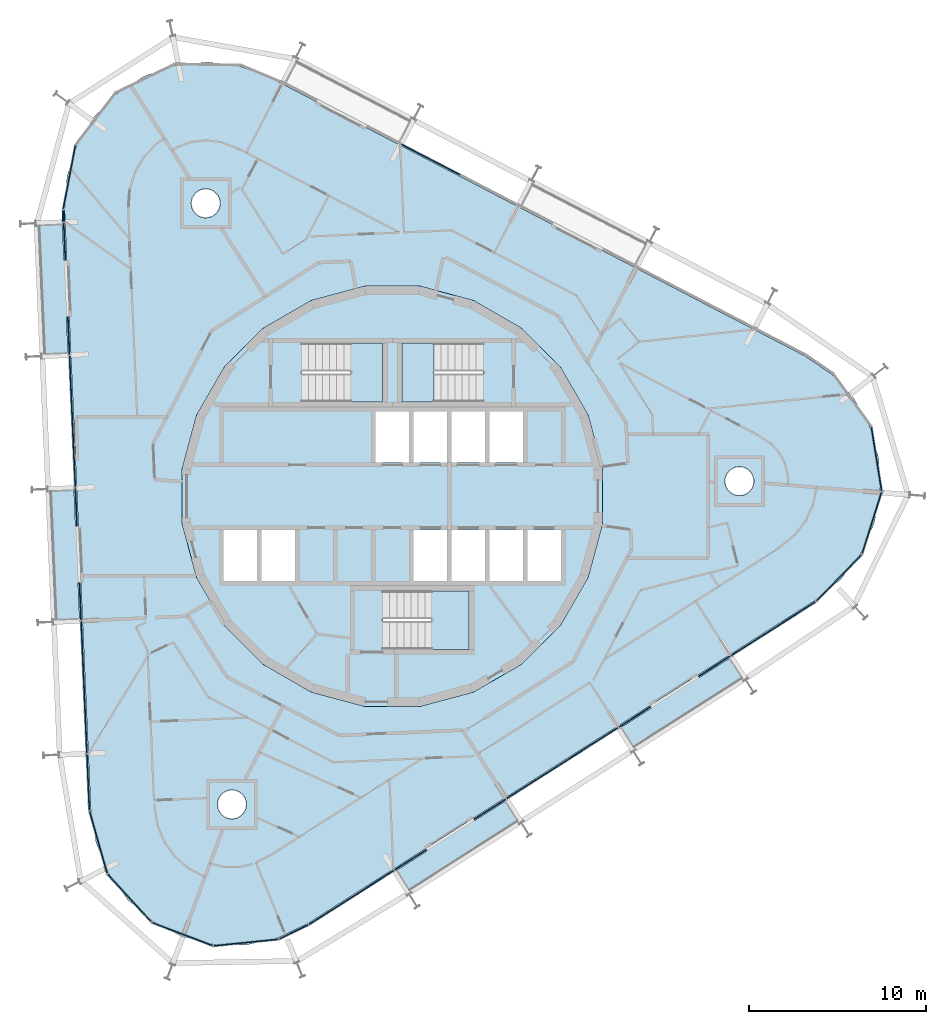
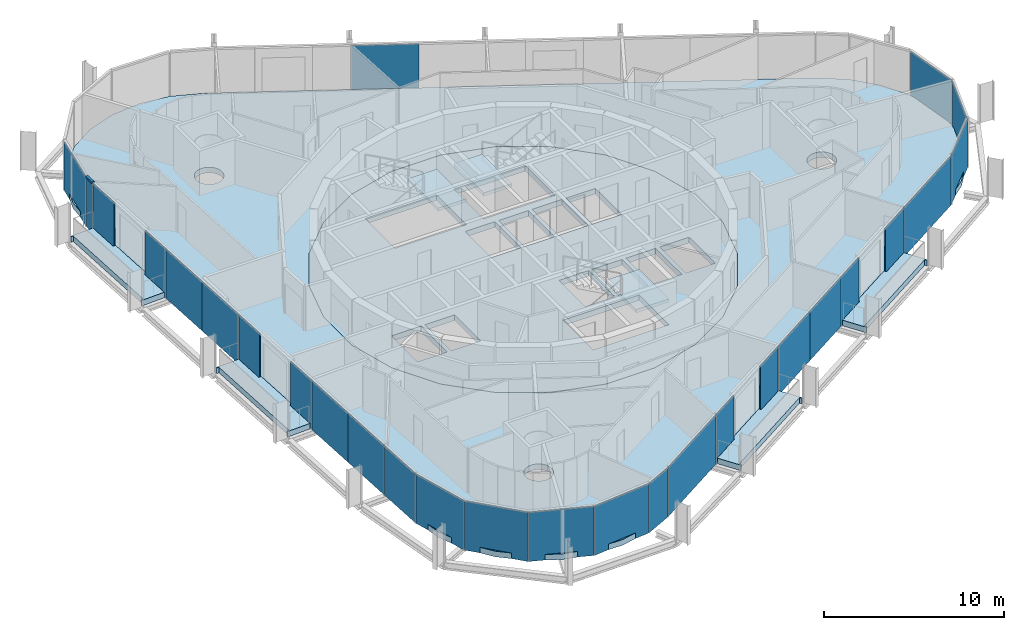
# One storey, part 10 of 18: 28 plates, 9 slabs, 1 member, 9 elements without a shape of their own.
"""IFC4 building model written with IfcOpenShell, lengths in metres."""

from ifc_helpers import new_model, si_unit, direction, frame, origin, origin_2d, place, context, subcontext, project, spatial, polyline, rectangle, outline, extrude, material, layer, layer_set, material_profile, profile_set, type_object, element, aggregate, save


model = new_model("IFC4")

# Units and contexts
model_context = context("Model", 3, precision=1e-05, world=origin(), true_north=direction((0.0, 1.0)))
body_context = subcontext(model_context, "Body", "Model", "MODEL_VIEW")
ifc_project = project(units=[si_unit("LENGTHUNIT", "METRE"), si_unit("AREAUNIT", "SQUARE_METRE"), si_unit("VOLUMEUNIT", "CUBIC_METRE"), si_unit("PLANEANGLEUNIT", "RADIAN"), si_unit("MASSUNIT", "GRAM", prefix="KILO")], contexts=[model_context])

# Site, building, storey
site_placement = place(None, origin())
site = spatial("IfcSite", under=ifc_project, at=site_placement, CompositionType="ELEMENT")
building_placement = place(site_placement, origin())
building = spatial("IfcBuilding", under=site, at=building_placement, Name="Spindle Arch Residences", CompositionType="ELEMENT")
storey_placement = place(building_placement, frame((0.0, 0.0, 254.699951171875)))
storey = spatial("IfcBuildingStorey", under=building, at=storey_placement, Name="L65", CompositionType="ELEMENT", Elevation=254.699951171875)

# Curtain wall, member
ifc_material_1 = material(Name="Aluminium bronze unitised frame with tinted glass", Category="aluminium")
ifc_layer_1 = layer(ifc_material_1, 0.159912109375)
ifc_layer_set_1 = layer_set([ifc_layer_1], Name="CW-D corner wall on the fillet arcs")
curtain_wall_type_1 = type_object("IfcCurtainWallType", Name="CW-D corner wall on the fillet arcs", PredefinedType="NOTDEFINED", material=ifc_layer_set_1)
curtain_wall_1_placement = place(storey_placement, origin())
curtain_wall_1 = element("IfcCurtainWall", 1, at=curtain_wall_1_placement, inside=storey, type_object=curtain_wall_type_1, Name="CW-D L65 run 3", PredefinedType="NOTDEFINED")
ifc_material_2 = material(Name="Aluminium bronze anodised transom", Category="aluminium")
ifc_material_profile = material_profile(ifc_material_2, rectangle(XDim=0.159912109375, YDim=0.1201171875, at=origin_2d()), Name="TR 120x160")
ifc_profile_set = profile_set([ifc_material_profile], Name="Aluminium bronze anodised transom")
member_type = type_object("IfcMemberType", Name="Bronze transom 120x160", PredefinedType="USERDEFINED", material=ifc_profile_set)
member_placement = place(storey_placement, frame((-18.638916015625, 16.2060546875, 2.989990234375), z_axis=(0.043372874815, -0.999058954081, 0.0), x_axis=(0.999058954081, 0.043372874815, 0.0)))
member = element("IfcMember", 2, at=member_placement, type_object=member_type, Name="CW-D transom 05", ObjectType="TRANSOM", PredefinedType="USERDEFINED", context=body_context, shape_type="SweptSolid", body=[
    extrude(rectangle(XDim=0.159912109375, YDim=0.1201171875, at=origin_2d()), origin(), (0.0, 0.0, 1.0), 0.65869140625),
])

# Slabs
ifc_material_3 = material(Name="Concrete C40/50", Category="concrete")
ifc_layer_2 = layer(ifc_material_3, 0.3798828125)
ifc_layer_set_2 = layer_set([ifc_layer_2], Name="Balcony slab 380")
slab_type_1 = type_object("IfcSlabType", Name="Balcony slab 380", PredefinedType="FLOOR", material=ifc_layer_set_2)
slab_1_placement = place(storey_placement, frame((0.0, 0.0, -0.3798828125)))
element("IfcSlab", 3, at=slab_1_placement, inside=storey, type_object=slab_type_1, Name="Balcony L65 bay 1", PredefinedType="FLOOR", context=body_context, shape_type="SweptSolid", body=[
    extrude(outline(polyline([(13.70751953125, -14.36962890625), (13.770751953125, -14.329345703125), (13.690185546875, -14.202880859375), (19.7880859375, -10.318115234375), (19.86865234375, -10.444580078125), (19.931884765625, -10.404296875), (19.13134765625, -9.147705078125), (17.36865234375, -10.270751953125), (17.28271484375, -10.1357421875), (14.583740234375, -11.855224609375), (14.669677734375, -11.989990234375), (12.906982421875, -13.113037109375), (13.70751953125, -14.36962890625)])), origin(), (0.0, 0.0, 1.0), 0.3798828125),
])
slab_2_placement = place(storey_placement, frame((0.0, 0.0, -0.3798828125)))
element("IfcSlab", 4, at=slab_2_placement, inside=storey, type_object=slab_type_1, Name="Balcony L65 bay 13", PredefinedType="FLOOR", context=body_context, shape_type="SweptSolid", body=[
    extrude(outline(polyline([(-20.174072265625, 15.374755859375), (-20.1708984375, 15.2998046875), (-20.02099609375, 15.306396484375), (-19.705810546875, 8.083251953125), (-19.85546875, 8.07666015625), (-19.852294921875, 8.001708984375), (-18.36376953125, 8.066650390625), (-18.454833984375, 10.15478515625), (-18.294921875, 10.161865234375), (-18.4345703125, 13.358642578125), (-18.594482421875, 13.351806640625), (-18.685546875, 15.439697265625), (-20.174072265625, 15.374755859375)])), origin(), (0.0, 0.0, 1.0), 0.3798828125),
])
slab_3_placement = place(storey_placement, frame((0.0, 0.0, -0.3798828125)))
element("IfcSlab", 5, at=slab_3_placement, inside=storey, type_object=slab_type_1, Name="Balcony L65 bay 15", PredefinedType="FLOOR", context=body_context, shape_type="SweptSolid", body=[
    extrude(outline(polyline([(-19.517333984375, 0.3291015625), (-19.513916015625, 0.254150390625), (-19.3642578125, 0.260498046875), (-19.048828125, -6.962646484375), (-19.19873046875, -6.96923828125), (-19.1953125, -7.0439453125), (-17.706787109375, -6.97900390625), (-17.7978515625, -4.89111328125), (-17.63818359375, -4.884033203125), (-17.777587890625, -1.68701171875), (-17.9375, -1.694091796875), (-18.02880859375, 0.39404296875), (-19.517333984375, 0.3291015625)])), origin(), (0.0, 0.0, 1.0), 0.3798828125),
])
slab_4_placement = place(storey_placement, frame((0.0, 0.0, -0.3798828125)))
element("IfcSlab", 6, at=slab_4_placement, inside=storey, type_object=slab_type_1, Name="Balcony L65 bay 21", PredefinedType="FLOOR", context=body_context, shape_type="SweptSolid", body=[
    extrude(outline(polyline([(1.006103515625, -22.46142578125), (1.0693359375, -22.421142578125), (0.988525390625, -22.294677734375), (7.08642578125, -18.409912109375), (7.1669921875, -18.536376953125), (7.230224609375, -18.49609375), (6.4296875, -17.239501953125), (4.6669921875, -18.362548828125), (4.5810546875, -18.2275390625), (1.882080078125, -19.947021484375), (1.968017578125, -20.081787109375), (0.205322265625, -21.204833984375), (1.006103515625, -22.46142578125)])), origin(), (0.0, 0.0, 1.0), 0.3798828125),
])
ifc_material_4 = material(Name="Concrete C50/60", Category="concrete")
ifc_layer_3 = layer(ifc_material_4, 0.3798828125)
ifc_layer_set_3 = layer_set([ifc_layer_3], Name="Core floor slab 380")
slab_type_2 = type_object("IfcSlabType", Name="Core floor slab 380", PredefinedType="FLOOR", material=ifc_layer_set_3)
slab_5_placement = place(storey_placement, frame((0.0, 0.0, -0.3798828125)))
element("IfcSlab", 7, at=slab_5_placement, inside=storey, type_object=slab_type_2, Name="Core floor L65", PredefinedType="FLOOR", context=body_context, shape_type="SweptSolid", body=[
    extrude(outline(polyline([(1.56640625, -11.897216796875), (4.59228515625, -11.086669921875), (7.30517578125, -9.520263671875), (9.520263671875, -7.30517578125), (11.086669921875, -4.59228515625), (11.897216796875, -1.56640625), (11.897216796875, 1.56640625), (11.086669921875, 4.59228515625), (9.520263671875, 7.30517578125), (7.30517578125, 9.520263671875), (4.59228515625, 11.086669921875), (1.56640625, 11.897216796875), (-1.56640625, 11.897216796875), (-4.59228515625, 11.086669921875), (-7.30517578125, 9.520263671875), (-9.520263671875, 7.30517578125), (-11.086669921875, 4.59228515625), (-11.897216796875, 1.56640625), (-11.897216796875, -1.56640625), (-11.086669921875, -4.59228515625), (-9.520263671875, -7.30517578125), (-7.30517578125, -9.520263671875), (-4.59228515625, -11.086669921875), (-1.56640625, -11.897216796875), (1.56640625, -11.897216796875)]), holes=[polyline([(-0.949951171875, 1.89990234375), (0.949951171875, 1.89990234375), (0.949951171875, 4.800048828125), (-0.949951171875, 4.800048828125), (-0.949951171875, 1.89990234375)]), polyline([(1.199951171875, 1.89990234375), (3.10009765625, 1.89990234375), (3.10009765625, 4.800048828125), (1.199951171875, 4.800048828125), (1.199951171875, 1.89990234375)]), polyline([(3.35009765625, 1.89990234375), (5.25, 1.89990234375), (5.25, 4.800048828125), (3.35009765625, 4.800048828125), (3.35009765625, 1.89990234375)]), polyline([(5.5, 1.89990234375), (7.39990234375, 1.89990234375), (7.39990234375, 4.800048828125), (5.5, 4.800048828125), (5.5, 1.89990234375)]), polyline([(-9.550048828125, -4.800048828125), (-7.64990234375, -4.800048828125), (-7.64990234375, -1.89990234375), (-9.550048828125, -1.89990234375), (-9.550048828125, -4.800048828125)]), polyline([(-7.39990234375, -4.800048828125), (-5.5, -4.800048828125), (-5.5, -1.89990234375), (-7.39990234375, -1.89990234375), (-7.39990234375, -4.800048828125)]), polyline([(1.199951171875, -4.800048828125), (3.10009765625, -4.800048828125), (3.10009765625, -1.89990234375), (1.199951171875, -1.89990234375), (1.199951171875, -4.800048828125)]), polyline([(3.35009765625, -4.800048828125), (5.25, -4.800048828125), (5.25, -1.89990234375), (3.35009765625, -1.89990234375), (3.35009765625, -4.800048828125)]), polyline([(5.5, -4.800048828125), (7.39990234375, -4.800048828125), (7.39990234375, -1.89990234375), (5.5, -1.89990234375), (5.5, -4.800048828125)]), polyline([(7.64990234375, -4.800048828125), (9.550048828125, -4.800048828125), (9.550048828125, -1.89990234375), (7.64990234375, -1.89990234375), (7.64990234375, -4.800048828125)]), polyline([(5.1298828125, 8.669921875), (0.550048828125, 8.669921875), (0.550048828125, 5.35009765625), (5.1298828125, 5.35009765625), (5.1298828125, 8.669921875)]), polyline([(-5.1298828125, 5.35009765625), (-0.550048828125, 5.35009765625), (-0.550048828125, 8.669921875), (-5.1298828125, 8.669921875), (-5.1298828125, 5.35009765625)]), polyline([(-0.530029296875, -8.669921875), (4.35009765625, -8.669921875), (4.35009765625, -5.35009765625), (-0.530029296875, -5.35009765625), (-0.530029296875, -8.669921875)])]), origin(), (0.0, 0.0, 1.0), 0.3798828125),
])

# Stair, slab
ifc_material_5 = material(Name="Concrete C50/60", Category="concrete")
stair_type = type_object("IfcStairType", Name="Exit stair 16 risers", PredefinedType="HALF_TURN_STAIR", material=ifc_material_5)
stair_1_placement = place(storey_placement, origin())
stair_1 = element("IfcStair", 8, at=stair_1_placement, inside=storey, type_object=stair_type, Name="L65 Exit stair ST1", PredefinedType="HALF_TURN_STAIR")
ifc_material_6 = material(Name="Concrete C50/60", Category="concrete")
ifc_layer_4 = layer(ifc_material_6, 0.219970703125)
ifc_layer_set_4 = layer_set([ifc_layer_4], Name="Exit stair landing 220")
slab_type_3 = type_object("IfcSlabType", Name="Exit stair landing 220", PredefinedType="LANDING", material=ifc_layer_set_4)
slab_6_placement = place(storey_placement, frame((0.0, 0.0, 1.530029296875)))
slab_6 = element("IfcSlab", 9, at=slab_6_placement, type_object=slab_type_3, Name="ST1 landing 1", PredefinedType="LANDING", context=body_context, shape_type="SweptSolid", body=[
    extrude(outline(polyline([(2.3701171875, 8.669921875), (0.550048828125, 8.669921875), (0.550048828125, 5.35009765625), (2.3701171875, 5.35009765625), (2.3701171875, 8.669921875)])), origin(), (0.0, 0.0, 1.0), 0.219970703125),
])
aggregate(stair_1, [slab_6])

stair_2_placement = place(storey_placement, origin())
stair_2 = element("IfcStair", 10, at=stair_2_placement, inside=storey, type_object=stair_type, Name="L65 Exit stair ST2", PredefinedType="HALF_TURN_STAIR")
slab_7_placement = place(storey_placement, frame((0.0, 0.0, 1.530029296875)))
slab_7 = element("IfcSlab", 11, at=slab_7_placement, type_object=slab_type_3, Name="ST2 landing 1", PredefinedType="LANDING", context=body_context, shape_type="SweptSolid", body=[
    extrude(outline(polyline([(-2.3701171875, 5.35009765625), (-0.550048828125, 5.35009765625), (-0.550048828125, 8.669921875), (-2.3701171875, 8.669921875), (-2.3701171875, 5.35009765625)])), origin(), (0.0, 0.0, 1.0), 0.219970703125),
])
aggregate(stair_2, [slab_7])

stair_3_placement = place(storey_placement, origin())
stair_3 = element("IfcStair", 12, at=stair_3_placement, inside=storey, type_object=stair_type, Name="L65 Exit stair ST3", PredefinedType="HALF_TURN_STAIR")
slab_8_placement = place(storey_placement, frame((0.0, 0.0, 1.530029296875)))
slab_8 = element("IfcSlab", 13, at=slab_8_placement, type_object=slab_type_3, Name="ST3 landing 1", PredefinedType="LANDING", context=body_context, shape_type="SweptSolid", body=[
    extrude(outline(polyline([(2.22998046875, -8.669921875), (4.35009765625, -8.669921875), (4.35009765625, -5.35009765625), (2.22998046875, -5.35009765625), (2.22998046875, -8.669921875)])), origin(), (0.0, 0.0, 1.0), 0.219970703125),
])
aggregate(stair_3, [slab_8])

# Slab
ifc_material_7 = material(Name="Concrete C40/50", Category="concrete")
ifc_layer_5 = layer(ifc_material_7, 0.3798828125)
ifc_layer_set_5 = layer_set([ifc_layer_5], Name="Floor slab 380")
slab_type_4 = type_object("IfcSlabType", Name="Floor slab 380", PredefinedType="FLOOR", material=ifc_layer_set_5)
slab_9_placement = place(storey_placement, frame((0.0, 0.0, -0.3798828125)))
element("IfcSlab", 14, at=slab_9_placement, inside=storey, type_object=slab_type_4, Name="Floor slab L65", PredefinedType="FLOOR", context=body_context, shape_type="SweptSolid", body=[
    extrude(outline(polyline([(-6.45556640625, -25.0029296875), (-8.268798828125, -25.40478515625), (-10.126220703125, -25.3779296875), (-11.92724609375, -24.92333984375), (-13.57470703125, -24.065673828125), (-14.980224609375, -22.85107421875), (-16.067626953125, -21.34521484375), (-16.778564453125, -19.629150390625), (-17.074462890625, -17.79541015625), (-18.560302734375, 16.239501953125), (-18.42529296875, 18.092041015625), (-17.866943359375, 19.863525390625), (-16.914794921875, 21.45849609375), (-15.62060546875, 22.791015625), (-14.053955078125, 23.788818359375), (-12.299560546875, 24.398681640625), (-10.45166015625, 24.587646484375), (-8.610107421875, 24.34521484375), (-6.8740234375, 23.6845703125), (23.343994140625, 7.9541015625), (24.880859375, 6.910888671875), (26.1357421875, 5.54150390625), (27.041015625, 3.91943359375), (27.5478515625, 2.13232421875), (27.62890625, 0.276611328125), (27.27978515625, -1.547607421875), (26.519287109375, -3.242431640625), (25.388427734375, -4.716064453125), (23.948486328125, -5.88916015625), (9.58251953125, -15.041259765625), (-4.78369140625, -24.193603515625), (-6.45556640625, -25.0029296875)]), holes=[polyline([(7.30517578125, -9.520263671875), (9.520263671875, -7.30517578125), (11.086669921875, -4.59228515625), (11.897216796875, -1.56640625), (11.897216796875, 1.56640625), (11.086669921875, 4.59228515625), (9.520263671875, 7.30517578125), (7.30517578125, 9.520263671875), (4.59228515625, 11.086669921875), (1.56640625, 11.897216796875), (-1.56640625, 11.897216796875), (-4.59228515625, 11.086669921875), (-7.30517578125, 9.520263671875), (-9.520263671875, 7.30517578125), (-11.086669921875, 4.59228515625), (-11.897216796875, 1.56640625), (-11.897216796875, -1.56640625), (-11.086669921875, -4.59228515625), (-9.520263671875, -7.30517578125), (-7.30517578125, -9.520263671875), (-4.59228515625, -11.086669921875), (-1.56640625, -11.897216796875), (1.56640625, -11.897216796875), (4.59228515625, -11.086669921875), (7.30517578125, -9.520263671875)]), polyline([(-8.39599609375, -17.904541015625), (-8.31982421875, -17.761962890625), (-8.27294921875, -17.607177734375), (-8.257080078125, -17.4462890625), (-8.27294921875, -17.285400390625), (-8.31982421875, -17.130615234375), (-8.39599609375, -16.988037109375), (-8.49853515625, -16.86279296875), (-8.623779296875, -16.76025390625), (-8.766357421875, -16.68408203125), (-8.921142578125, -16.63720703125), (-9.08203125, -16.621337890625), (-9.242919921875, -16.63720703125), (-9.397705078125, -16.68408203125), (-9.540283203125, -16.76025390625), (-9.665283203125, -16.86279296875), (-9.76806640625, -16.988037109375), (-9.84423828125, -17.130615234375), (-9.89111328125, -17.285400390625), (-9.906982421875, -17.4462890625), (-9.89111328125, -17.607177734375), (-9.84423828125, -17.761962890625), (-9.76806640625, -17.904541015625), (-9.665283203125, -18.02978515625), (-9.540283203125, -18.13232421875), (-9.397705078125, -18.20849609375), (-9.242919921875, -18.25537109375), (-9.08203125, -18.271240234375), (-8.921142578125, -18.25537109375), (-8.766357421875, -18.20849609375), (-8.623779296875, -18.13232421875), (-8.49853515625, -18.02978515625), (-8.39599609375, -17.904541015625)]), polyline([(-9.882080078125, 16.130126953125), (-9.805908203125, 16.272705078125), (-9.7587890625, 16.427490234375), (-9.742919921875, 16.58837890625), (-9.7587890625, 16.749267578125), (-9.805908203125, 16.904052734375), (-9.882080078125, 17.046630859375), (-9.984619140625, 17.171875), (-10.109619140625, 17.2744140625), (-10.252197265625, 17.3505859375), (-10.406982421875, 17.3974609375), (-10.568115234375, 17.413330078125), (-10.72900390625, 17.3974609375), (-10.8837890625, 17.3505859375), (-11.0263671875, 17.2744140625), (-11.1513671875, 17.171875), (-11.25390625, 17.046630859375), (-11.330078125, 16.904052734375), (-11.377197265625, 16.749267578125), (-11.39306640625, 16.58837890625), (-11.377197265625, 16.427490234375), (-11.330078125, 16.272705078125), (-11.25390625, 16.130126953125), (-11.1513671875, 16.0048828125), (-11.0263671875, 15.90234375), (-10.8837890625, 15.826171875), (-10.72900390625, 15.779296875), (-10.568115234375, 15.763427734375), (-10.406982421875, 15.779296875), (-10.252197265625, 15.826171875), (-10.109619140625, 15.90234375), (-9.984619140625, 16.0048828125), (-9.882080078125, 16.130126953125)]), polyline([(20.2333984375, 0.2744140625), (20.3359375, 0.399658203125), (20.412109375, 0.542236328125), (20.458984375, 0.697021484375), (20.47509765625, 0.85791015625), (20.458984375, 1.018798828125), (20.412109375, 1.173583984375), (20.3359375, 1.316162109375), (20.2333984375, 1.44140625), (20.1083984375, 1.5439453125), (19.9658203125, 1.6201171875), (19.810791015625, 1.6669921875), (19.64990234375, 1.682861328125), (19.489013671875, 1.6669921875), (19.334228515625, 1.6201171875), (19.191650390625, 1.5439453125), (19.066650390625, 1.44140625), (18.964111328125, 1.316162109375), (18.8876953125, 1.173583984375), (18.8408203125, 1.018798828125), (18.824951171875, 0.85791015625), (18.8408203125, 0.697021484375), (18.8876953125, 0.542236328125), (18.964111328125, 0.399658203125), (19.066650390625, 0.2744140625), (19.191650390625, 0.171875), (19.334228515625, 0.095703125), (19.489013671875, 0.048828125), (19.64990234375, 0.032958984375), (19.810791015625, 0.048828125), (19.9658203125, 0.095703125), (20.1083984375, 0.171875), (20.2333984375, 0.2744140625)])]), origin(), (0.0, 0.0, 1.0), 0.3798828125),
])

# Curtain wall, plates
curtain_wall_2_placement = place(storey_placement, origin())
curtain_wall_2 = element("IfcCurtainWall", 15, at=curtain_wall_2_placement, inside=storey, type_object=curtain_wall_type_1, Name="CW-D L65 run 1", PredefinedType="NOTDEFINED")
ifc_material_8 = material(Name="Tinted double glazing over aluminium faced non-combustible spandrel zone (K0)", Category="aluminium")
ifc_layer_6 = layer(ifc_material_8, 0.06005859375)
ifc_layer_set_6 = layer_set([ifc_layer_6], Name="Unitised glass panel with E 60 spandrel zone")
plate_type = type_object("IfcPlateType", Name="Unitised glass panel with E 60 spandrel zone", PredefinedType="CURTAIN_PANEL", material=ifc_layer_set_6)
plate_1_placement = place(storey_placement, frame((21.571533203125, -7.498291015625, -0.3798828125), z_axis=(0.0, 0.0, 1.0), x_axis=(0.843391445813, 0.537299608347, 0.0)))
plate_1 = element("IfcPlate", 16, at=plate_1_placement, type_object=plate_type, Name="CW-D unit 00", PredefinedType="CURTAIN_PANEL", context=body_context, shape_type="SweptSolid", body=[
    extrude(rectangle(XDim=5.678466796875, YDim=0.06005859375, at=origin_2d()), origin(), (0.0, 0.0, 1.0), 3.31005859375),
])
plate_2_placement = place(storey_placement, frame((25.28955078125, -4.6201171875, -0.3798828125), z_axis=(0.0, 0.0, 1.0), x_axis=(0.696747904692, 0.71731607908, 0.0)))
plate_2 = element("IfcPlate", 17, at=plate_2_placement, type_object=plate_type, Name="CW-D unit 01", PredefinedType="CURTAIN_PANEL", context=body_context, shape_type="SweptSolid", body=[
    extrude(rectangle(XDim=3.666748046875, YDim=0.06005859375, at=origin_2d()), origin(), (0.0, 0.0, 1.0), 3.31005859375),
])
plate_3_placement = place(storey_placement, frame((27.148193359375, -1.50634765625, -0.3798828125), z_axis=(0.0, 0.0, 1.0), x_axis=(0.300705803932, 0.953716949352, 0.0)))
plate_3 = element("IfcPlate", 18, at=plate_3_placement, type_object=plate_type, Name="CW-D unit 02", PredefinedType="CURTAIN_PANEL", context=body_context, shape_type="SweptSolid", body=[
    extrude(rectangle(XDim=3.666748046875, YDim=0.06005859375, at=origin_2d()), origin(), (0.0, 0.0, 1.0), 3.31005859375),
])
plate_4_placement = place(storey_placement, frame((27.411865234375, 2.1103515625, -0.3798828125), z_axis=(0.0, 0.0, 1.0), x_axis=(-0.15930686075, 0.987229114298, 0.0)))
plate_4 = element("IfcPlate", 19, at=plate_4_placement, type_object=plate_type, Name="CW-D unit 03", PredefinedType="CURTAIN_PANEL", context=body_context, shape_type="SweptSolid", body=[
    extrude(rectangle(XDim=3.666748046875, YDim=0.06005859375, at=origin_2d()), origin(), (0.0, 0.0, 1.0), 3.31005859375),
])
aggregate(curtain_wall_2, [plate_1, plate_2, plate_3, plate_4])

# Curtain wall, plate
ifc_material_9 = material(Name="Aluminium bronze unitised frame with tinted glass", Category="aluminium")
ifc_layer_7 = layer(ifc_material_9, 0.159912109375)
ifc_layer_set_7 = layer_set([ifc_layer_7], Name="CW-C typical residential unitised wall")
curtain_wall_type_2 = type_object("IfcCurtainWallType", Name="CW-C typical residential unitised wall", PredefinedType="NOTDEFINED", material=ifc_layer_set_7)
curtain_wall_3_placement = place(storey_placement, origin())
curtain_wall_3 = element("IfcCurtainWall", 20, at=curtain_wall_3_placement, inside=storey, type_object=curtain_wall_type_2, Name="CW-C L65 run 2", PredefinedType="NOTDEFINED")
plate_5_placement = place(storey_placement, frame((2.16259765625, 19.070556640625, -0.3798828125), z_axis=(0.0, 0.0, 1.0), x_axis=(-0.887010833178, 0.461748613235, 0.0)))
plate_5 = element("IfcPlate", 21, at=plate_5_placement, type_object=plate_type, Name="CW-C unit 07B", PredefinedType="CURTAIN_PANEL", context=body_context, shape_type="SweptSolid", body=[
    extrude(rectangle(XDim=3.735107421875, YDim=0.06005859375, at=origin_2d()), origin(), (0.0, 0.0, 1.0), 3.31005859375),
])
aggregate(curtain_wall_3, [plate_5])

# Plate
plate_6_placement = place(storey_placement, frame((-18.2900390625, 18.066162109375, -0.3798828125), z_axis=(0.0, 0.0, 1.0), x_axis=(-0.187952756314, -0.982178070104, 0.0)))
plate_6 = element("IfcPlate", 22, at=plate_6_placement, type_object=plate_type, Name="CW-D unit 04", PredefinedType="CURTAIN_PANEL", context=body_context, shape_type="SweptSolid", body=[
    extrude(rectangle(XDim=3.666748046875, YDim=0.06005859375, at=origin_2d()), origin(), (0.0, 0.0, 1.0), 3.31005859375),
])

plate_7_placement = place(storey_placement, frame((-18.62451171875, 15.877197265625, -0.3798828125), z_axis=(0.0, 0.0, 1.0), x_axis=(0.043619387365, -0.999048221582, 0.0)))
plate_7 = element("IfcPlate", 23, at=plate_7_placement, type_object=plate_type, Name="CW-D unit 05", PredefinedType="CURTAIN_PANEL", context=body_context, shape_type="SweptSolid", body=[
    extrude(rectangle(XDim=0.658447265625, YDim=0.06005859375, at=origin_2d()), origin(), (0.0, 0.0, 1.0), 3.31005859375),
])

aggregate(curtain_wall_1, [plate_6, member, plate_7])

# Curtain wall, plates
curtain_wall_4_placement = place(storey_placement, origin())
curtain_wall_4 = element("IfcCurtainWall", 24, at=curtain_wall_4_placement, inside=storey, type_object=curtain_wall_type_2, Name="CW-C L65 run 4", PredefinedType="NOTDEFINED")
plate_8_placement = place(storey_placement, frame((-18.56103515625, 14.421875, -0.3798828125), z_axis=(0.0, 0.0, 1.0), x_axis=(0.043619387365, -0.999048221582, 0.0)))
plate_8 = element("IfcPlate", 25, at=plate_8_placement, type_object=plate_type, Name="CW-C unit 12L", PredefinedType="CURTAIN_PANEL", context=body_context, shape_type="SweptSolid", body=[
    extrude(rectangle(XDim=2.135009765625, YDim=0.06005859375, at=origin_2d()), origin(), (0.0, 0.0, 1.0), 3.31005859375),
])
plate_9_placement = place(storey_placement, frame((-18.328369140625, 9.091796875, -0.3798828125), z_axis=(0.0, 0.0, 1.0), x_axis=(0.043619387365, -0.999048221582, 0.0)))
plate_9 = element("IfcPlate", 26, at=plate_9_placement, type_object=plate_type, Name="CW-C unit 12R", PredefinedType="CURTAIN_PANEL", context=body_context, shape_type="SweptSolid", body=[
    extrude(rectangle(XDim=2.135009765625, YDim=0.06005859375, at=origin_2d()), origin(), (0.0, 0.0, 1.0), 3.31005859375),
])
plate_10_placement = place(storey_placement, frame((-18.19775390625, 6.099609375, -0.3798828125), z_axis=(0.0, 0.0, 1.0), x_axis=(0.043619387365, -0.999048221582, 0.0)))
plate_10 = element("IfcPlate", 27, at=plate_10_placement, type_object=plate_type, Name="CW-C unit 13A", PredefinedType="CURTAIN_PANEL", context=body_context, shape_type="SweptSolid", body=[
    extrude(rectangle(XDim=3.735107421875, YDim=0.06005859375, at=origin_2d()), origin(), (0.0, 0.0, 1.0), 3.31005859375),
])
plate_11_placement = place(storey_placement, frame((-18.034912109375, 2.3681640625, -0.3798828125), z_axis=(0.0, 0.0, 1.0), x_axis=(0.043619387365, -0.999048221582, 0.0)))
plate_11 = element("IfcPlate", 28, at=plate_11_placement, type_object=plate_type, Name="CW-C unit 13B", PredefinedType="CURTAIN_PANEL", context=body_context, shape_type="SweptSolid", body=[
    extrude(rectangle(XDim=3.735107421875, YDim=0.06005859375, at=origin_2d()), origin(), (0.0, 0.0, 1.0), 3.31005859375),
])
plate_12_placement = place(storey_placement, frame((-17.904052734375, -0.6240234375, -0.3798828125), z_axis=(0.0, 0.0, 1.0), x_axis=(0.043619387365, -0.999048221582, 0.0)))
plate_12 = element("IfcPlate", 29, at=plate_12_placement, type_object=plate_type, Name="CW-C unit 14L", PredefinedType="CURTAIN_PANEL", context=body_context, shape_type="SweptSolid", body=[
    extrude(rectangle(XDim=2.135009765625, YDim=0.06005859375, at=origin_2d()), origin(), (0.0, 0.0, 1.0), 3.31005859375),
])
plate_13_placement = place(storey_placement, frame((-17.67138671875, -5.9541015625, -0.3798828125), z_axis=(0.0, 0.0, 1.0), x_axis=(0.043619387365, -0.999048221582, 0.0)))
plate_13 = element("IfcPlate", 30, at=plate_13_placement, type_object=plate_type, Name="CW-C unit 14R", PredefinedType="CURTAIN_PANEL", context=body_context, shape_type="SweptSolid", body=[
    extrude(rectangle(XDim=2.135009765625, YDim=0.06005859375, at=origin_2d()), origin(), (0.0, 0.0, 1.0), 3.31005859375),
])
plate_14_placement = place(storey_placement, frame((-17.540771484375, -8.9462890625, -0.3798828125), z_axis=(0.0, 0.0, 1.0), x_axis=(0.043619387365, -0.999048221582, 0.0)))
plate_14 = element("IfcPlate", 31, at=plate_14_placement, type_object=plate_type, Name="CW-C unit 15A", PredefinedType="CURTAIN_PANEL", context=body_context, shape_type="SweptSolid", body=[
    extrude(rectangle(XDim=3.735107421875, YDim=0.06005859375, at=origin_2d()), origin(), (0.0, 0.0, 1.0), 3.31005859375),
])
plate_15_placement = place(storey_placement, frame((-17.3779296875, -12.677734375, -0.3798828125), z_axis=(0.0, 0.0, 1.0), x_axis=(0.043619387365, -0.999048221582, 0.0)))
plate_15 = element("IfcPlate", 32, at=plate_15_placement, type_object=plate_type, Name="CW-C unit 15B", PredefinedType="CURTAIN_PANEL", context=body_context, shape_type="SweptSolid", body=[
    extrude(rectangle(XDim=3.735107421875, YDim=0.06005859375, at=origin_2d()), origin(), (0.0, 0.0, 1.0), 3.31005859375),
])
aggregate(curtain_wall_4, [plate_8, plate_9, plate_10, plate_11, plate_12, plate_13, plate_14, plate_15])

curtain_wall_5_placement = place(storey_placement, origin())
curtain_wall_5 = element("IfcCurtainWall", 33, at=curtain_wall_5_placement, inside=storey, type_object=curtain_wall_type_1, Name="CW-D L65 run 5", PredefinedType="NOTDEFINED")
plate_16_placement = place(storey_placement, frame((-17.224609375, -16.18603515625, -0.3798828125), z_axis=(0.0, 0.0, 1.0), x_axis=(0.043619387365, -0.999048221582, 0.0)))
plate_16 = element("IfcPlate", 34, at=plate_16_placement, type_object=plate_type, Name="CW-D unit 00", PredefinedType="CURTAIN_PANEL", context=body_context, shape_type="SweptSolid", body=[
    extrude(rectangle(XDim=3.16845703125, YDim=0.06005859375, at=origin_2d()), origin(), (0.0, 0.0, 1.0), 3.31005859375),
])
plate_17_placement = place(storey_placement, frame((-16.64599609375, -19.591552734375, -0.3798828125), z_axis=(0.0, 0.0, 1.0), x_axis=(0.272839997585, -0.962059424213, 0.0)))
plate_17 = element("IfcPlate", 35, at=plate_17_placement, type_object=plate_type, Name="CW-D unit 01", PredefinedType="CURTAIN_PANEL", context=body_context, shape_type="SweptSolid", body=[
    extrude(rectangle(XDim=3.666748046875, YDim=0.06005859375, at=origin_2d()), origin(), (0.0, 0.0, 1.0), 3.31005859375),
])
plate_18_placement = place(storey_placement, frame((-14.878662109375, -22.758056640625, -0.3798828125), z_axis=(0.0, 0.0, 1.0), x_axis=(0.675590207538, -0.737277336881, 0.0)))
plate_18 = element("IfcPlate", 36, at=plate_18_placement, type_object=plate_type, Name="CW-D unit 02", PredefinedType="CURTAIN_PANEL", context=body_context, shape_type="SweptSolid", body=[
    extrude(rectangle(XDim=3.666748046875, YDim=0.06005859375, at=origin_2d()), origin(), (0.0, 0.0, 1.0), 3.31005859375),
])
plate_19_placement = place(storey_placement, frame((-11.878173828125, -24.79443359375, -0.3798828125), z_axis=(0.0, 0.0, 1.0), x_axis=(0.934618925661, -0.355650760994, 0.0)))
plate_19 = element("IfcPlate", 37, at=plate_19_placement, type_object=plate_type, Name="CW-D unit 03", PredefinedType="CURTAIN_PANEL", context=body_context, shape_type="SweptSolid", body=[
    extrude(rectangle(XDim=3.666748046875, YDim=0.06005859375, at=origin_2d()), origin(), (0.0, 0.0, 1.0), 3.31005859375),
])
plate_20_placement = place(storey_placement, frame((-8.282958984375, -25.267822265625, -0.3798828125), z_axis=(0.0, 0.0, 1.0), x_axis=(0.994821748016, 0.10163508092, 0.0)))
plate_20 = element("IfcPlate", 38, at=plate_20_placement, type_object=plate_type, Name="CW-D unit 04", PredefinedType="CURTAIN_PANEL", context=body_context, shape_type="SweptSolid", body=[
    extrude(rectangle(XDim=3.666748046875, YDim=0.06005859375, at=origin_2d()), origin(), (0.0, 0.0, 1.0), 3.31005859375),
])
plate_21_placement = place(storey_placement, frame((-5.5849609375, -24.669677734375, -0.3798828125), z_axis=(0.0, 0.0, 1.0), x_axis=(0.900065409973, 0.435754813823, 0.0)))
plate_21 = element("IfcPlate", 39, at=plate_21_placement, type_object=plate_type, Name="CW-D unit 05", PredefinedType="CURTAIN_PANEL", context=body_context, shape_type="SweptSolid", body=[
    extrude(rectangle(XDim=1.816162109375, YDim=0.06005859375, at=origin_2d()), origin(), (0.0, 0.0, 1.0), 3.31005859375),
])
plate_22_placement = place(storey_placement, frame((-2.32080078125, -22.71923828125, -0.3798828125), z_axis=(0.0, 0.0, 1.0), x_axis=(0.843391445813, 0.537299608347, 0.0)))
plate_22 = element("IfcPlate", 40, at=plate_22_placement, type_object=plate_type, Name="CW-D unit 06", PredefinedType="CURTAIN_PANEL", context=body_context, shape_type="SweptSolid", body=[
    extrude(rectangle(XDim=5.678466796875, YDim=0.06005859375, at=origin_2d()), origin(), (0.0, 0.0, 1.0), 3.31005859375),
])
aggregate(curtain_wall_5, [plate_16, plate_17, plate_18, plate_19, plate_20, plate_21, plate_22])

curtain_wall_6_placement = place(storey_placement, origin())
curtain_wall_6 = element("IfcCurtainWall", 41, at=curtain_wall_6_placement, inside=storey, type_object=curtain_wall_type_2, Name="CW-C L65 run 6", PredefinedType="NOTDEFINED")
plate_23_placement = place(storey_placement, frame((1.02490234375, -20.587890625, -0.3798828125), z_axis=(0.0, 0.0, 1.0), x_axis=(0.843391445813, 0.537299608347, 0.0)))
plate_23 = element("IfcPlate", 42, at=plate_23_placement, type_object=plate_type, Name="CW-C unit 20L", PredefinedType="CURTAIN_PANEL", context=body_context, shape_type="SweptSolid", body=[
    extrude(rectangle(XDim=2.135009765625, YDim=0.06005859375, at=origin_2d()), origin(), (0.0, 0.0, 1.0), 3.31005859375),
])
plate_24_placement = place(storey_placement, frame((5.5244140625, -17.721435546875, -0.3798828125), z_axis=(0.0, 0.0, 1.0), x_axis=(0.843391445813, 0.537299608347, 0.0)))
plate_24 = element("IfcPlate", 43, at=plate_24_placement, type_object=plate_type, Name="CW-C unit 20R", PredefinedType="CURTAIN_PANEL", context=body_context, shape_type="SweptSolid", body=[
    extrude(rectangle(XDim=2.135009765625, YDim=0.06005859375, at=origin_2d()), origin(), (0.0, 0.0, 1.0), 3.31005859375),
])
plate_25_placement = place(storey_placement, frame((8.05029296875, -16.1123046875, -0.3798828125), z_axis=(0.0, 0.0, 1.0), x_axis=(0.843391445813, 0.537299608347, 0.0)))
plate_25 = element("IfcPlate", 44, at=plate_25_placement, type_object=plate_type, Name="CW-C unit 21A", PredefinedType="CURTAIN_PANEL", context=body_context, shape_type="SweptSolid", body=[
    extrude(rectangle(XDim=3.735107421875, YDim=0.06005859375, at=origin_2d()), origin(), (0.0, 0.0, 1.0), 3.31005859375),
])
plate_26_placement = place(storey_placement, frame((11.200439453125, -14.10546875, -0.3798828125), z_axis=(0.0, 0.0, 1.0), x_axis=(0.843391445813, 0.537299608347, 0.0)))
plate_26 = element("IfcPlate", 45, at=plate_26_placement, type_object=plate_type, Name="CW-C unit 21B", PredefinedType="CURTAIN_PANEL", context=body_context, shape_type="SweptSolid", body=[
    extrude(rectangle(XDim=3.735107421875, YDim=0.06005859375, at=origin_2d()), origin(), (0.0, 0.0, 1.0), 3.31005859375),
])
plate_27_placement = place(storey_placement, frame((13.726318359375, -12.49609375, -0.3798828125), z_axis=(0.0, 0.0, 1.0), x_axis=(0.843391445813, 0.537299608347, 0.0)))
plate_27 = element("IfcPlate", 46, at=plate_27_placement, type_object=plate_type, Name="CW-C unit 00L", PredefinedType="CURTAIN_PANEL", context=body_context, shape_type="SweptSolid", body=[
    extrude(rectangle(XDim=2.135009765625, YDim=0.06005859375, at=origin_2d()), origin(), (0.0, 0.0, 1.0), 3.31005859375),
])
plate_28_placement = place(storey_placement, frame((18.225830078125, -9.629638671875, -0.3798828125), z_axis=(0.0, 0.0, 1.0), x_axis=(0.843391445813, 0.537299608347, 0.0)))
plate_28 = element("IfcPlate", 47, at=plate_28_placement, type_object=plate_type, Name="CW-C unit 00R", PredefinedType="CURTAIN_PANEL", context=body_context, shape_type="SweptSolid", body=[
    extrude(rectangle(XDim=2.135009765625, YDim=0.06005859375, at=origin_2d()), origin(), (0.0, 0.0, 1.0), 3.31005859375),
])
aggregate(curtain_wall_6, [plate_23, plate_24, plate_25, plate_26, plate_27, plate_28])

save(model, "model.ifc")
